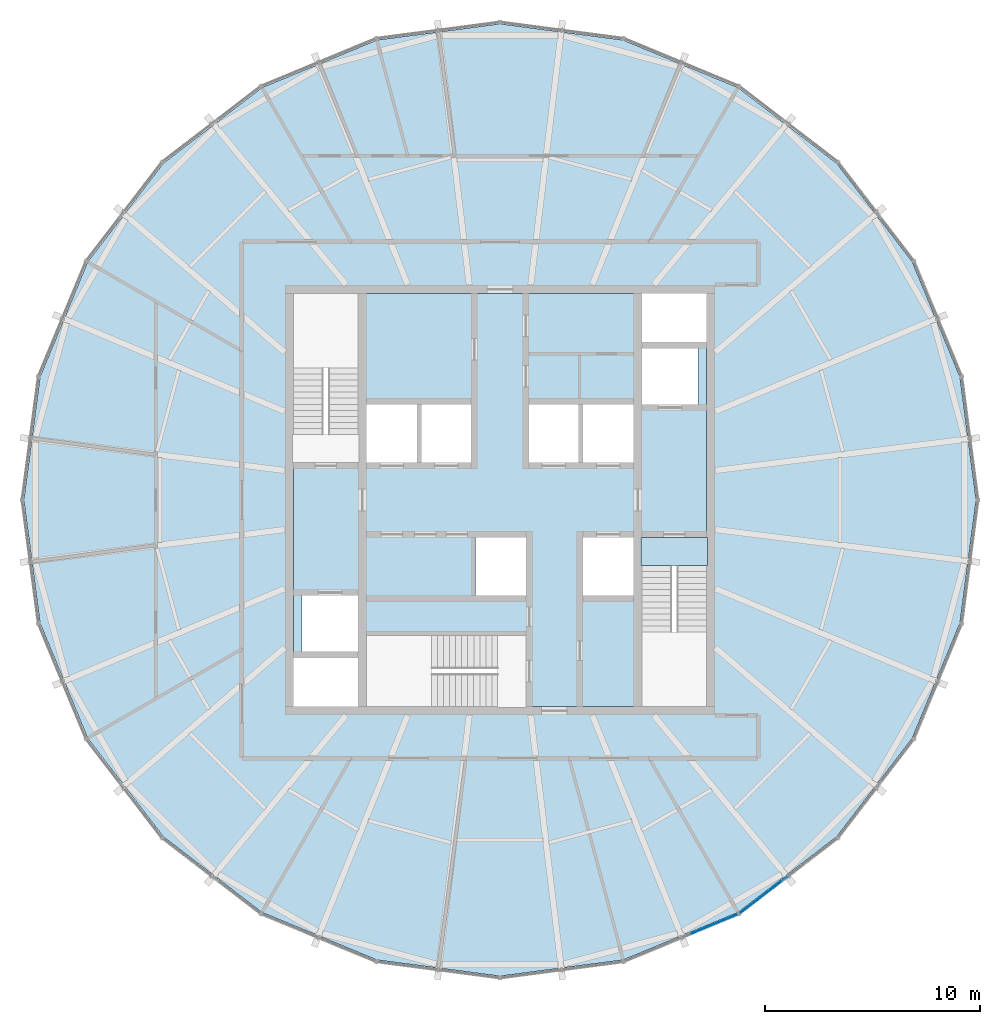
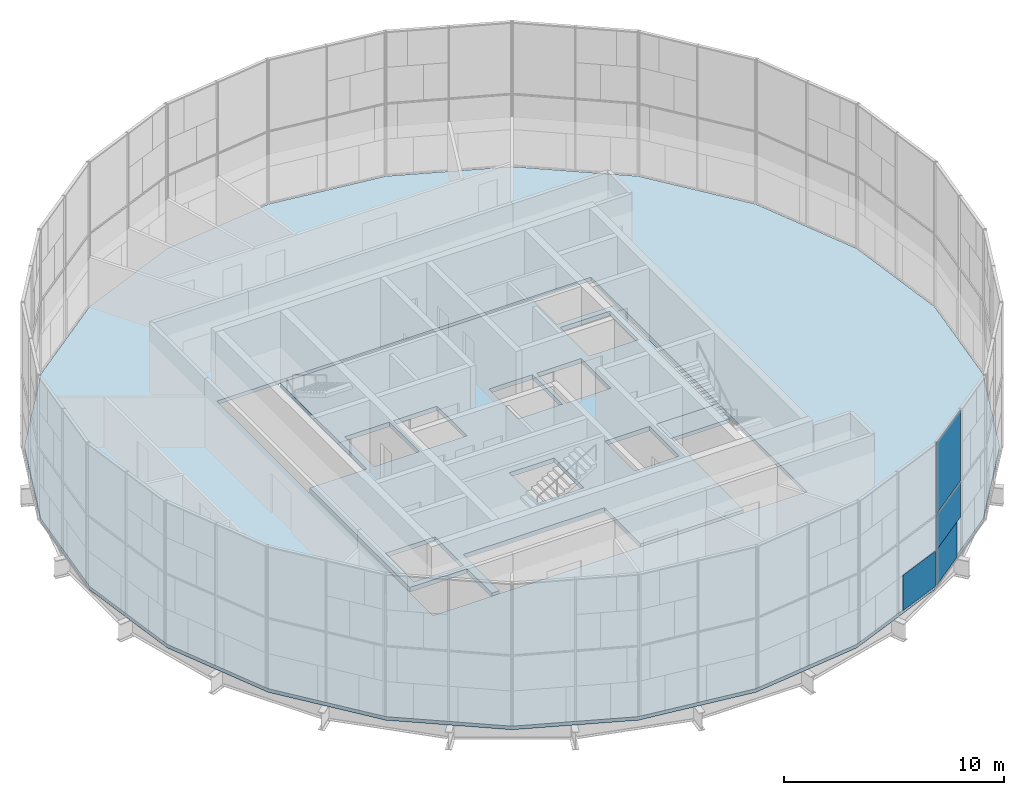
# One storey, part 11 of 19: 4 plates, 3 slabs, 2 elements without a shape of their own.
"""IFC4 building model written with IfcOpenShell, lengths in metres."""

from ifc_helpers import new_model, si_unit, direction, frame, origin, origin_2d, place, context, subcontext, project, spatial, polyline, rectangle, outline, extrude, material, layer, layer_set, type_object, element, aggregate, save


model = new_model("IFC4")

# Units and contexts
model_context = context("Model", 3, precision=1e-05, world=origin(), true_north=direction((0.0, 1.0)))
body_context = subcontext(model_context, "Body", "Model", "MODEL_VIEW")
ifc_project = project(units=[si_unit("LENGTHUNIT", "METRE"), si_unit("AREAUNIT", "SQUARE_METRE"), si_unit("VOLUMEUNIT", "CUBIC_METRE"), si_unit("PLANEANGLEUNIT", "RADIAN"), si_unit("MASSUNIT", "GRAM", prefix="KILO")], contexts=[model_context])

# Site, building, storey
site_placement = place(None, origin())
site = spatial("IfcSite", under=ifc_project, at=site_placement, CompositionType="ELEMENT")
building_placement = place(site_placement, origin())
building = spatial("IfcBuilding", under=site, at=building_placement, Name="Golbaran Civic Tower", CompositionType="ELEMENT")
storey_placement = place(building_placement, frame((0.0, 0.0, 256.0)))
storey = spatial("IfcBuildingStorey", under=building, at=storey_placement, Name="L62", CompositionType="ELEMENT", Elevation=256.0)

# Slabs
ifc_material_1 = material(Name="Concrete LC30/33 lightweight on steel deck", Category="concrete")
ifc_layer_1 = layer(ifc_material_1, 0.199951171875, Name="Concrete LC30/33 lightweight on steel deck")
ifc_layer_set_1 = layer_set([ifc_layer_1], Name="Concrete LC30/33 lightweight on steel deck")
slab_type_1 = type_object("IfcSlabType", Name="COMPOSITE FLOOR SLAB 200", PredefinedType="FLOOR", material=ifc_layer_set_1)
slab_1_placement = place(storey_placement, frame((0.0, 0.0, -0.199951171875)))
element("IfcSlab", 1, at=slab_1_placement, inside=storey, type_object=slab_type_1, Name="Floor slab L62", PredefinedType="FLOOR", context=body_context, shape_type="SweptSolid", body=[
    extrude(outline(polyline([(19.167236328125, -11.066162109375), (15.64990234375, -15.64990234375), (11.066162109375, -19.167236328125), (5.728271484375, -21.378173828125), (0.0, -22.13232421875), (-5.728271484375, -21.378173828125), (-11.066162109375, -19.167236328125), (-15.64990234375, -15.64990234375), (-19.167236328125, -11.066162109375), (-21.378173828125, -5.728271484375), (-22.13232421875, 0.0), (-21.378173828125, 5.728271484375), (-19.167236328125, 11.066162109375), (-15.64990234375, 15.64990234375), (-11.066162109375, 19.167236328125), (-5.728271484375, 21.378173828125), (0.0, 22.13232421875), (5.728271484375, 21.378173828125), (11.066162109375, 19.167236328125), (15.64990234375, 15.64990234375), (19.167236328125, 11.066162109375), (21.378173828125, 5.728271484375), (22.13232421875, 0.0), (21.378173828125, -5.728271484375), (19.167236328125, -11.066162109375)]), holes=[polyline([(-9.800048828125, 9.800048828125), (-9.800048828125, -9.800048828125), (9.800048828125, -9.800048828125), (9.800048828125, 9.800048828125), (-9.800048828125, 9.800048828125)])]), origin(), (0.0, 0.0, 1.0), 0.199951171875),
])
ifc_material_2 = material(Name="Concrete C35/45", Category="concrete")
ifc_layer_2 = layer(ifc_material_2, 0.25, Name="Concrete C35/45")
ifc_layer_set_2 = layer_set([ifc_layer_2], Name="Concrete C35/45")
slab_type_2 = type_object("IfcSlabType", Name="CORE FLOOR SLAB 250", PredefinedType="FLOOR", material=ifc_layer_set_2)
slab_2_placement = place(storey_placement, frame((0.0, 0.0, -0.25)))
element("IfcSlab", 2, at=slab_2_placement, inside=storey, type_object=slab_type_2, Name="Core floor slab L62", PredefinedType="FLOOR", context=body_context, shape_type="SweptSolid", body=[
    extrude(outline(polyline([(6.60009765625, -1.75), (6.60009765625, -9.60009765625), (1.199951171875, -9.60009765625), (1.199951171875, -6.300048828125), (-6.199951171875, -6.300048828125), (-6.199951171875, -9.60009765625), (-6.60009765625, -9.60009765625), (-6.60009765625, -7.35009765625), (-9.60009765625, -7.35009765625), (-9.60009765625, 1.75), (-6.60009765625, 1.75), (-6.60009765625, 9.60009765625), (6.60009765625, 9.60009765625), (6.60009765625, 7.35009765625), (9.60009765625, 7.35009765625), (9.60009765625, -1.75), (6.60009765625, -1.75)]), holes=[polyline([(9.199951171875, 7.050048828125), (6.60009765625, 7.050048828125), (6.60009765625, 4.449951171875), (9.199951171875, 4.449951171875), (9.199951171875, 7.050048828125)]), polyline([(6.199951171875, -1.75), (3.85009765625, -1.75), (3.85009765625, -4.449951171875), (6.199951171875, -4.449951171875), (6.199951171875, -1.75)]), polyline([(6.199951171875, 4.449951171875), (3.85009765625, 4.449951171875), (3.85009765625, 1.75), (6.199951171875, 1.75), (6.199951171875, 4.449951171875)]), polyline([(3.64990234375, 4.449951171875), (1.35009765625, 4.449951171875), (1.35009765625, 1.75), (3.64990234375, 1.75), (3.64990234375, 4.449951171875)]), polyline([(-1.14990234375, -1.75), (-1.14990234375, -4.449951171875), (1.199951171875, -4.449951171875), (1.199951171875, -1.75), (-1.14990234375, -1.75)]), polyline([(-1.35009765625, 4.449951171875), (-3.64990234375, 4.449951171875), (-3.64990234375, 1.75), (-1.35009765625, 1.75), (-1.35009765625, 4.449951171875)]), polyline([(-3.85009765625, 4.449951171875), (-6.199951171875, 4.449951171875), (-6.199951171875, 1.75), (-3.85009765625, 1.75), (-3.85009765625, 4.449951171875)]), polyline([(-6.60009765625, -4.449951171875), (-9.199951171875, -4.449951171875), (-9.199951171875, -7.050048828125), (-6.60009765625, -7.050048828125), (-6.60009765625, -4.449951171875)])]), origin(), (0.0, 0.0, 1.0), 0.25),
])

# Curtain wall, plate
ifc_material_3 = material(Name="Aluminium and glass", Category="aluminium")
curtain_wall_type = type_object("IfcCurtainWallType", Name="INNER SKIN CURTAIN WALL EXECUTIVE", PredefinedType="NOTDEFINED", material=ifc_material_3)
curtain_wall_1_placement = place(storey_placement, origin())
curtain_wall_1 = element("IfcCurtainWall", 3, at=curtain_wall_1_placement, inside=storey, type_object=curtain_wall_type, Name="Inner skin L62 facet 20 CW2", ObjectType="INNER SKIN", PredefinedType="USERDEFINED")
ifc_material_4 = material(Name="Clear insulating glass", Category="glass")
ifc_layer_3 = layer(ifc_material_4, 0.031982421875, Name="Clear insulating glass")
ifc_layer_set_3 = layer_set([ifc_layer_3], Name="Clear insulating glass")
plate_type = type_object("IfcPlateType", Name="INNER SKIN CURTAIN WALL EXECUTIVE GLAZED PANEL", PredefinedType="CURTAIN_PANEL", material=ifc_layer_set_3)
plate_1_placement = place(storey_placement, frame((9.93798828125, -19.720947265625, 0.06005859375), z_axis=(0.0, 0.0, 1.0), x_axis=(0.923879532511, 0.382683432365, 0.0)))
plate_1 = element("IfcPlate", 4, at=plate_1_placement, type_object=plate_type, Name="CW2 panel 2.1 part 2", PredefinedType="CURTAIN_PANEL", context=body_context, shape_type="SweptSolid", body=[
    extrude(rectangle(XDim=2.409423828125, YDim=0.031982421875, at=origin_2d()), origin(), (0.0, 0.0, 1.0), 1.955078125),
])
aggregate(curtain_wall_1, [plate_1])

# Curtain wall, plates
curtain_wall_2_placement = place(storey_placement, origin())
curtain_wall_2 = element("IfcCurtainWall", 5, at=curtain_wall_2_placement, inside=storey, type_object=curtain_wall_type, Name="Inner skin L62 facet 21 CW2", ObjectType="INNER SKIN", PredefinedType="USERDEFINED")
plate_2_placement = place(storey_placement, frame((12.109375, -18.467529296875, 0.06005859375), z_axis=(0.0, 0.0, 1.0), x_axis=(0.793353340238, 0.608761429078, 0.0)))
plate_2 = element("IfcPlate", 6, at=plate_2_placement, type_object=plate_type, Name="CW2 panel 1.1 part 1", PredefinedType="CURTAIN_PANEL", context=body_context, shape_type="SweptSolid", body=[
    extrude(rectangle(XDim=2.407958984375, YDim=0.031982421875, at=origin_2d()), origin(), (0.0, 0.0, 1.0), 1.955078125),
])
plate_3_placement = place(storey_placement, frame((12.2685546875, -18.345458984375, 2.014892578125), z_axis=(0.0, 0.0, 1.0), x_axis=(0.793353340238, 0.608761429078, 0.0)))
plate_3 = element("IfcPlate", 7, at=plate_3_placement, type_object=plate_type, Name="CW2 panel 1.1 part 3", PredefinedType="CURTAIN_PANEL", context=body_context, shape_type="SweptSolid", body=[
    extrude(rectangle(XDim=2.809326171875, YDim=0.031982421875, at=origin_2d()), origin(), (0.0, 0.0, 1.0), 1.955078125),
])
plate_4_placement = place(storey_placement, frame((12.2685546875, -18.345458984375, 4.0302734375), z_axis=(0.0, 0.0, 1.0), x_axis=(0.793353340238, 0.608761429078, 0.0)))
plate_4 = element("IfcPlate", 8, at=plate_4_placement, type_object=plate_type, Name="CW2 panel 1.2", PredefinedType="CURTAIN_PANEL", context=body_context, shape_type="SweptSolid", body=[
    extrude(rectangle(XDim=2.809326171875, YDim=0.031982421875, at=origin_2d()), origin(), (0.0, 0.0, 1.0), 3.909912109375),
])
aggregate(curtain_wall_2, [plate_2, plate_3, plate_4])

# Slab
ifc_layer_4 = layer(ifc_material_2, 0.199951171875, Name="Concrete C35/45")
ifc_layer_set_4 = layer_set([ifc_layer_4], Name="Concrete C35/45")
slab_type_3 = type_object("IfcSlabType", Name="STAIR LANDING 200", PredefinedType="LANDING", material=ifc_layer_set_4)
slab_3_placement = place(storey_placement, frame((0.0, 0.0, -0.199951171875)))
element("IfcSlab", 9, at=slab_3_placement, inside=storey, type_object=slab_type_3, Name="Stair S2 floor landing L62", PredefinedType="LANDING", context=body_context, shape_type="SweptSolid", body=[
    extrude(outline(polyline([(9.64990234375, -1.75), (9.64990234375, -3.054931640625), (6.550048828125, -3.054931640625), (6.550048828125, -1.75), (9.64990234375, -1.75)])), origin(), (0.0, 0.0, 1.0), 0.199951171875),
])

save(model, "model.ifc")
